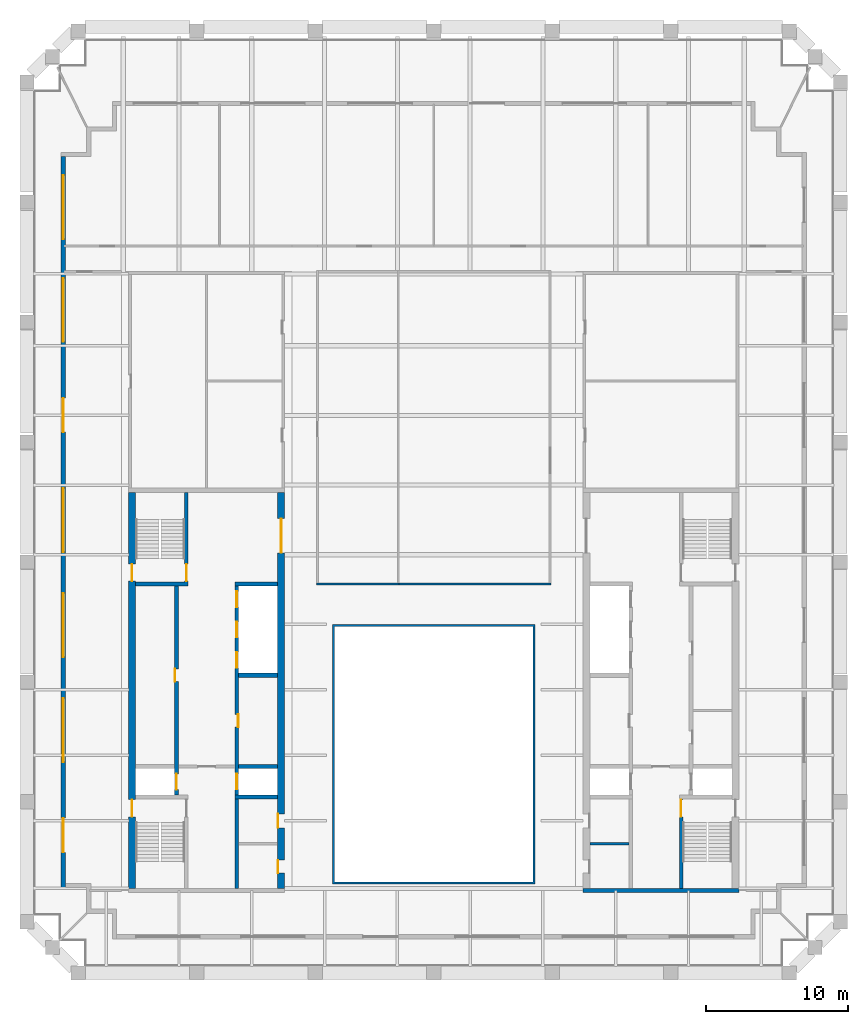
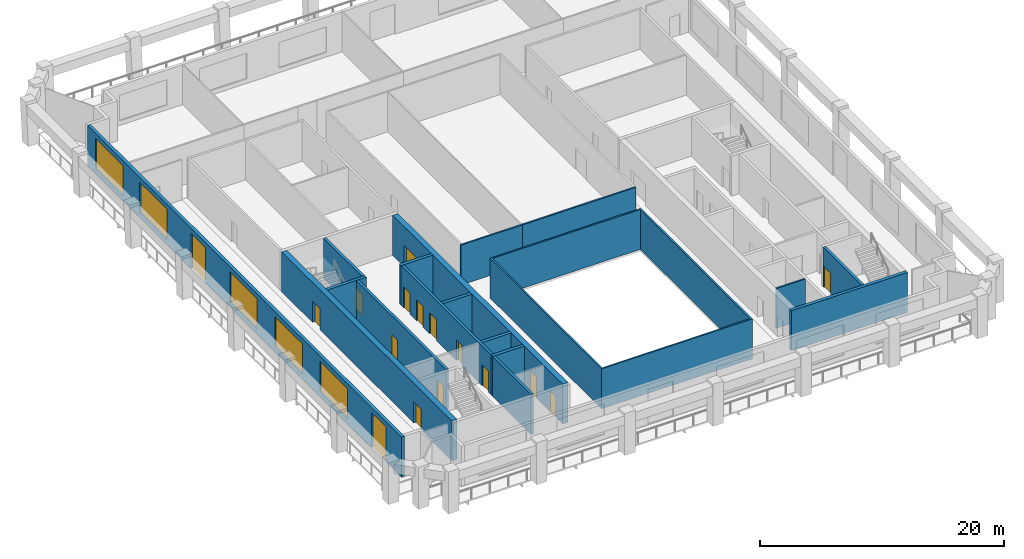
# One storey, part 3 of 7: 17 walls, 16 doors, 5 windows, 21 openings.
"""IFC4 building model written with IfcOpenShell, lengths in metres."""

import ifcopenshell
import ifcopenshell.guid

model = None  # the IFC model being written
_history = None  # IfcOwnerHistory: only IFC2X3 demands one
_inside = {}  # id of a spatial element -> (the spatial element, [elements in it])
_under = {}  # id of a project, library or spatial element -> (it, [spatial elements below it])
_declared = {}  # id of a project -> (the project, [libraries it declares])
_typed = {}  # id of a type object -> (the type object, [elements of that type])
_made_of = {}  # id of a material, layer set ... -> (it, [elements and type objects made of it])


def new_model(schema):
    """Start an empty IFC model of exactly this schema.

    Asked for "IFC4X3", IfcOpenShell would pick the latest addendum, in which some entities
    have other attributes; the version numbers below select the first issue.
    IFC2X3 requires an IfcOwnerHistory on every rooted entity: one is made here for all.
    """
    global model, _history
    if schema == "IFC4X3":
        model = ifcopenshell.file(schema_version=(4, 3, 0, 0))
    else:
        model = ifcopenshell.file(schema=schema)
    _inside.clear()
    _under.clear()
    _declared.clear()
    _typed.clear()
    _made_of.clear()
    _history = None
    if model.schema == "IFC2X3":
        org = make("IfcOrganization", Name="unknown")
        user = make(
            "IfcPersonAndOrganization",
            ThePerson=make("IfcPerson", FamilyName="unknown"),
            TheOrganization=org,
        )
        app = make(
            "IfcApplication",
            ApplicationDeveloper=org,
            Version="unknown",
            ApplicationFullName="unknown",
            ApplicationIdentifier="unknown",
        )
        _history = make(
            "IfcOwnerHistory",
            OwningUser=user,
            OwningApplication=app,
            ChangeAction="ADDED",
            CreationDate=0,
        )
    return model


def make(cls, **values):
    """One entity of the class cls with the attributes given. An attribute that is None is left unset."""
    return model.create_entity(
        cls, **{name: value for name, value in values.items() if value is not None}
    )


def rooted(cls, **values):
    """An entity with a GlobalId (a new one), such as an element, a storey or a relation."""
    return make(cls, GlobalId=ifcopenshell.guid.new(), OwnerHistory=_history, **values)


def si_unit(unit_type, name, prefix=None):
    """IfcSIUnit, for example si_unit("LENGTHUNIT", "METRE", prefix="MILLI")."""
    return make("IfcSIUnit", UnitType=unit_type, Prefix=prefix, Name=name)


def assignment(units):
    """IfcUnitAssignment: the units of a project."""
    return None if units is None else make("IfcUnitAssignment", Units=units)


def point(xyz):
    """IfcCartesianPoint."""
    return None if xyz is None else make("IfcCartesianPoint", Coordinates=xyz)


def direction(xyz):
    """IfcDirection."""
    return None if xyz is None else make("IfcDirection", DirectionRatios=xyz)


def frame(location, z_axis=None, x_axis=None):
    """IfcAxis2Placement3D, a coordinate frame: its origin and axes. An axis left out is left unset."""
    return make(
        "IfcAxis2Placement3D",
        Location=point(location),
        Axis=direction(z_axis),
        RefDirection=direction(x_axis),
    )


def frame_2d(location, x_axis=None):
    """IfcAxis2Placement2D, a coordinate frame in the plane: its origin and x axis."""
    return make(
        "IfcAxis2Placement2D", Location=point(location), RefDirection=direction(x_axis)
    )


def origin():
    """The frame at (0, 0, 0) with its axes left unset."""
    return frame((0.0, 0.0, 0.0))


def place(relative_to, where):
    """IfcLocalPlacement: puts the frame where relative to a parent placement (None: the world)."""
    return make(
        "IfcLocalPlacement", PlacementRelTo=relative_to, RelativePlacement=where
    )


def context(
    kind, dimensions, precision=None, world=None, true_north=None, identifier=None
):
    """IfcGeometricRepresentationContext, for example the 3D "Model" context."""
    return make(
        "IfcGeometricRepresentationContext",
        ContextIdentifier=identifier,
        ContextType=kind,
        CoordinateSpaceDimension=dimensions,
        Precision=precision,
        WorldCoordinateSystem=world,
        TrueNorth=true_north,
    )


def subcontext(parent, identifier, kind, view, scale=None):
    """IfcGeometricRepresentationSubContext, for example "Body" below "Model"."""
    return make(
        "IfcGeometricRepresentationSubContext",
        ContextIdentifier=identifier,
        ContextType=kind,
        ParentContext=parent,
        TargetScale=scale,
        TargetView=view,
    )


def project(units=None, contexts=None):
    """IfcProject with its units and contexts."""
    return rooted(
        "IfcProject",
        Name="project",
        RepresentationContexts=contexts,
        UnitsInContext=assignment(units),
    )


def spatial(cls, under=None, at=None, **own):
    """A site, building, storey or space (cls), placed at a placement, below another one or the project."""
    s = rooted(cls, ObjectPlacement=at, **own)
    if under is not None:
        _under.setdefault(under.id(), (under, []))[1].append(s)
    return s


def polyline(points):
    """IfcPolyline through the points."""
    return make("IfcPolyline", Points=[point(p) for p in points])


def profile(cls, at=None, kind="AREA", **sizes):
    """A parametric profile (cls). Its sizes go by their IFC names, for example OverallWidth=200.0."""
    return make(cls, ProfileType=kind, Position=at, **sizes)


def rectangle(**sizes):
    """IfcRectangleProfileDef."""
    return profile("IfcRectangleProfileDef", **sizes)


def outline(outer, holes=None, kind="AREA"):
    """IfcArbitraryClosedProfileDef: a profile drawn as a closed curve; with holes, ...WithVoids."""
    if holes is None:
        return make("IfcArbitraryClosedProfileDef", ProfileType=kind, OuterCurve=outer)
    return make(
        "IfcArbitraryProfileDefWithVoids",
        ProfileType=kind,
        OuterCurve=outer,
        InnerCurves=holes,
    )


def extrude(swept, where, along, depth):
    """IfcExtrudedAreaSolid: the profile swept, set in the frame where, extruded along a direction by depth."""
    return make(
        "IfcExtrudedAreaSolid",
        SweptArea=swept,
        Position=where,
        ExtrudedDirection=direction(along),
        Depth=depth,
    )


def shape(context_of_items, identifier, shape_type, items):
    """IfcShapeRepresentation: the items that make up one representation, for example the "Body"."""
    return make(
        "IfcShapeRepresentation",
        ContextOfItems=context_of_items,
        RepresentationIdentifier=identifier,
        RepresentationType=shape_type,
        Items=items,
    )


def material(Name=None, Category=None):
    """IfcMaterial."""
    return make("IfcMaterial", Name=Name, Category=Category)


def layer(
    of_material, thickness, ventilated=None, Name=None, Category=None, Priority=None
):
    """IfcMaterialLayer: one layer of a wall or slab, of a material (None: an air gap)."""
    return make(
        "IfcMaterialLayer",
        Material=of_material,
        LayerThickness=thickness,
        IsVentilated=ventilated,
        Name=Name,
        Category=Category,
        Priority=Priority,
    )


def layer_set(layers, Name=None):
    """IfcMaterialLayerSet."""
    return make("IfcMaterialLayerSet", MaterialLayers=layers, LayerSetName=Name)


def made_of(thing, what):
    """Note that an element or type object is made of a material, layer set ...; save() writes the relation."""
    if what is not None:
        _made_of.setdefault(what.id(), (what, []))[1].append(thing)
    return thing


def type_object(cls, material=None, **own):
    """A type object (cls), such as IfcWallType, which elements share."""
    return made_of(rooted(cls, **own), material)


def element(
    cls,
    number,
    at=None,
    inside=None,
    cuts=None,
    type_object=None,
    material=None,
    context=None,
    identifier="Body",
    shape_type=None,
    held_by="IfcProductDefinitionShape",
    body=None,
    shapes=None,
    **own,
):
    """One element of the class cls, such as IfcWall. Its Tag is "e" and its number.

    at: its placement. inside: the storey or other place that contains it. cuts: it is an
    opening in that element (IfcRelVoidsElement). A single representation is given by context,
    identifier, shape_type and body (its items); several are given by shapes. held_by: the class
    of the entity that holds the representations. save() writes the other relations.
    """
    e = rooted(cls, Tag="e%d" % number, ObjectPlacement=at, **own)
    if body is not None:
        shapes = [shape(context, identifier, shape_type, body)]
    if shapes is not None:
        e.Representation = make(held_by, Representations=shapes)
    if inside is not None:
        _inside.setdefault(inside.id(), (inside, []))[1].append(e)
    if cuts is not None:
        rooted(
            "IfcRelVoidsElement", RelatingBuildingElement=cuts, RelatedOpeningElement=e
        )
    if type_object is not None:
        _typed.setdefault(type_object.id(), (type_object, []))[1].append(e)
    return made_of(e, material)


def fill(opening, filler):
    """IfcRelFillsElement: the door or window that sits in an opening."""
    return rooted(
        "IfcRelFillsElement",
        RelatingOpeningElement=opening,
        RelatedBuildingElement=filler,
    )


def aggregate(whole, parts):
    """IfcRelAggregates: a whole, such as a stair, and the parts it consists of."""
    return rooted("IfcRelAggregates", RelatingObject=whole, RelatedObjects=parts)


def save(model, path):
    """Write the relations noted so far, then the file.

    IfcRelAggregates (storeys below a building ...), IfcRelContainedInSpatialStructure (elements
    in a storey), IfcRelDefinesByType, IfcRelAssociatesMaterial and IfcRelDeclares: one each for
    every whole, place, type object, material and project.
    """
    for whole, parts in _under.values():
        aggregate(whole, parts)
    for where, things in _inside.values():
        rooted(
            "IfcRelContainedInSpatialStructure",
            RelatedElements=things,
            RelatingStructure=where,
        )
    for kind, things in _typed.values():
        rooted("IfcRelDefinesByType", RelatedObjects=things, RelatingType=kind)
    for what, things in _made_of.values():
        rooted("IfcRelAssociatesMaterial", RelatedObjects=things, RelatingMaterial=what)
    for by, libraries in _declared.values():
        rooted("IfcRelDeclares", RelatingContext=by, RelatedDefinitions=libraries)
    model.write(path)


model = new_model("IFC4")

# Units and contexts
model_context = context("Model", 3, precision=1e-05, world=origin(), true_north=direction((0.0, 1.0)))
body_context = subcontext(model_context, "Body", "Model", "MODEL_VIEW")
ifc_project = project(units=[si_unit("LENGTHUNIT", "METRE"), si_unit("AREAUNIT", "SQUARE_METRE"), si_unit("VOLUMEUNIT", "CUBIC_METRE"), si_unit("PLANEANGLEUNIT", "RADIAN"), si_unit("MASSUNIT", "GRAM", prefix="KILO")], contexts=[model_context])

# Site, building, storey
site_placement = place(None, origin())
site = spatial("IfcSite", under=ifc_project, at=site_placement, CompositionType="ELEMENT")
building_placement = place(site_placement, origin())
building = spatial("IfcBuilding", under=site, at=building_placement, Name="Ogive Exchange Tower", CompositionType="ELEMENT")
storey_placement = place(building_placement, frame((0.0, 0.0, 330.0)))
storey = spatial("IfcBuildingStorey", under=building, at=storey_placement, Name="L72", CompositionType="ELEMENT", Elevation=330.0)

# Walls
ifc_material_1 = material(Name="Gypsum board partition")
ifc_layer_1 = layer(ifc_material_1, 0.14990234375)
ifc_layer_set_1 = layer_set([ifc_layer_1], Name="Core room partition 150 gypsum")
wall_type_1 = type_object("IfcWallType", Name="Core room partition 150 gypsum", PredefinedType="PARTITIONING", material=ifc_layer_set_1)
wall_1_placement = place(storey_placement, frame((11.0, 0.699951171875, 0.0), z_axis=(0.0, 0.0, 1.0), x_axis=(1.0, 0.0, 0.0)))
element("IfcWall", 1, at=wall_1_placement, inside=storey, type_object=wall_type_1, Name="E south room partition", PredefinedType="PARTITIONING", context=body_context, shape_type="SweptSolid", body=[
    extrude(rectangle(XDim=2.75, YDim=0.14990234375, at=frame_2d((1.375, 0.0))), origin(), (0.0, 0.0, 1.0), 4.0),
])
ifc_material_2 = material(Name="Fire partition EI 60 150")
ifc_layer_2 = layer(ifc_material_2, 0.14990234375)
ifc_layer_set_2 = layer_set([ifc_layer_2], Name="Fire partition EI 60 150")
wall_type_2 = type_object("IfcWallType", Name="Fire partition EI 60 150", PredefinedType="PARTITIONING", material=ifc_layer_set_2)
wall_2_placement = place(storey_placement, frame((-8.27490234375, 19.0, 0.0), z_axis=(0.0, 0.0, 1.0), x_axis=(1.0, 0.0, 0.0)))
element("IfcWall", 2, at=wall_2_placement, inside=storey, type_object=wall_type_2, Name="L72-PWL-007", PredefinedType="PARTITIONING", context=body_context, shape_type="SweptSolid", body=[
    extrude(rectangle(XDim=5.824951171875, YDim=0.14990234375, at=frame_2d((2.91259765625, 0.0))), origin(), (0.0, 0.0, 1.0), 4.0),
])
wall_3_placement = place(storey_placement, frame((-2.5, 19.0, 0.0), z_axis=(0.0, 0.0, 1.0), x_axis=(1.0, 0.0, 0.0)))
element("IfcWall", 3, at=wall_3_placement, inside=storey, type_object=wall_type_2, Name="L72-PWL-011", PredefinedType="PARTITIONING", context=body_context, shape_type="SweptSolid", body=[
    extrude(rectangle(XDim=10.77490234375, YDim=0.14990234375, at=frame_2d((5.387451171875, 0.0))), origin(), (0.0, 0.0, 1.0), 4.0),
])
ifc_material_3 = material(Name="Fire-resisting glass in steel frame", Category="steel")
ifc_layer_3 = layer(ifc_material_3, 0.14990234375)
ifc_layer_set_3 = layer_set([ifc_layer_3], Name="Fire-rated glazed wall 150")
wall_type_3 = type_object("IfcWallType", Name="Fire-rated glazed wall 150", PredefinedType="STANDARD", material=ifc_layer_set_3)
wall_4_placement = place(storey_placement, origin())
element("IfcWall", 4, at=wall_4_placement, inside=storey, type_object=wall_type_3, Name="Nave enclosure wall", PredefinedType="STANDARD", context=body_context, shape_type="SweptSolid", body=[
    extrude(outline(polyline([(-7.14990234375, -2.14990234375), (7.14990234375, -2.14990234375), (7.14990234375, 16.14990234375), (-7.14990234375, 16.14990234375), (-7.14990234375, -2.14990234375)]), holes=[polyline([(-7.0, -2.0), (-7.0, 16.0), (7.0, 16.0), (7.0, -2.0), (-7.0, -2.0)])]), origin(), (0.0, 0.0, 1.0), 4.0),
])

# Wall, openings, doors, windows
ifc_material_4 = material(Name="Precast concrete C40/50", Category="concrete")
ifc_layer_4 = layer(ifc_material_4, 0.300048828125)
ifc_layer_set_4 = layer_set([ifc_layer_4], Name="Limestone-faced wall 300")
wall_type_4 = type_object("IfcWallType", Name="Limestone-faced wall 300", PredefinedType="STANDARD", material=ifc_layer_set_4)
wall_5_placement = place(storey_placement, frame((-26.10009765625, 49.10009765625, 0.0), z_axis=(0.0, 0.0, 1.0), x_axis=(0.0, -1.0, 0.0)))
wall_5 = element("IfcWall", 5, at=wall_5_placement, inside=storey, type_object=wall_type_4, Name="External wall W4", PredefinedType="STANDARD", context=body_context, shape_type="SweptSolid", body=[
    extrude(rectangle(XDim=51.5, YDim=0.300048828125, at=frame_2d((25.75, 0.0))), origin(), (0.0, 0.0, 1.0), 4.0),
])
opening_1_placement = place(wall_5_placement, frame((1.300048828125, 0.0, 0.449951171875)))
opening_1 = element("IfcOpeningElement", 6, at=opening_1_placement, cuts=wall_5, Name="Opening W1", PredefinedType="OPENING", context=body_context, shape_type="SweptSolid", body=[
    extrude(rectangle(XDim=4.5, YDim=3.050048828125, at=frame_2d((2.25, 1.52490234375))), frame((0.0, 0.159912109375, 0.0), z_axis=(0.0, -1.0, 0.0), x_axis=(1.0, 0.0, 0.0)), (0.0, 0.0, 1.0), 0.320068359375),
])
opening_2_placement = place(wall_5_placement, frame((8.550048828125, 0.0, 0.449951171875)))
opening_2 = element("IfcOpeningElement", 7, at=opening_2_placement, cuts=wall_5, Name="Opening W1", PredefinedType="OPENING", context=body_context, shape_type="SweptSolid", body=[
    extrude(rectangle(XDim=4.5, YDim=3.050048828125, at=frame_2d((2.25, 1.52490234375))), frame((0.0, 0.159912109375, 0.0), z_axis=(0.0, -1.0, 0.0), x_axis=(1.0, 0.0, 0.0)), (0.0, 0.0, 1.0), 0.320068359375),
])
opening_3_placement = place(wall_5_placement, frame((17.0, 0.0, 0.0)))
opening_3 = element("IfcOpeningElement", 8, at=opening_3_placement, cuts=wall_5, Name="Opening D1", PredefinedType="OPENING", context=body_context, shape_type="SweptSolid", body=[
    extrude(rectangle(XDim=2.39990234375, YDim=3.5, at=frame_2d((1.199951171875, 1.75))), frame((0.0, 0.159912109375, 0.0), z_axis=(0.0, -1.0, 0.0), x_axis=(1.0, 0.0, 0.0)), (0.0, 0.0, 1.0), 0.320068359375),
])
opening_4_placement = place(wall_5_placement, frame((23.35009765625, 0.0, 0.449951171875)))
opening_4 = element("IfcOpeningElement", 9, at=opening_4_placement, cuts=wall_5, Name="Opening W1", PredefinedType="OPENING", context=body_context, shape_type="SweptSolid", body=[
    extrude(rectangle(XDim=4.5, YDim=3.050048828125, at=frame_2d((2.25, 1.52490234375))), frame((0.0, 0.159912109375, 0.0), z_axis=(0.0, -1.0, 0.0), x_axis=(1.0, 0.0, 0.0)), (0.0, 0.0, 1.0), 0.320068359375),
])
opening_5_placement = place(wall_5_placement, frame((30.75, 0.0, 0.449951171875)))
opening_5 = element("IfcOpeningElement", 10, at=opening_5_placement, cuts=wall_5, Name="Opening W1", PredefinedType="OPENING", context=body_context, shape_type="SweptSolid", body=[
    extrude(rectangle(XDim=4.5, YDim=3.050048828125, at=frame_2d((2.25, 1.52490234375))), frame((0.0, 0.159912109375, 0.0), z_axis=(0.0, -1.0, 0.0), x_axis=(1.0, 0.0, 0.0)), (0.0, 0.0, 1.0), 0.320068359375),
])
opening_6_placement = place(wall_5_placement, frame((38.14990234375, 0.0, 0.449951171875)))
opening_6 = element("IfcOpeningElement", 11, at=opening_6_placement, cuts=wall_5, Name="Opening W1", PredefinedType="OPENING", context=body_context, shape_type="SweptSolid", body=[
    extrude(rectangle(XDim=4.5, YDim=3.050048828125, at=frame_2d((2.25, 1.52490234375))), frame((0.0, 0.159912109375, 0.0), z_axis=(0.0, -1.0, 0.0), x_axis=(1.0, 0.0, 0.0)), (0.0, 0.0, 1.0), 0.320068359375),
])
opening_7_placement = place(wall_5_placement, frame((46.60009765625, 0.0, 0.0)))
opening_7 = element("IfcOpeningElement", 12, at=opening_7_placement, cuts=wall_5, Name="Opening D1", PredefinedType="OPENING", context=body_context, shape_type="SweptSolid", body=[
    extrude(rectangle(XDim=2.39990234375, YDim=3.5, at=frame_2d((1.199951171875, 1.75))), frame((0.0, 0.159912109375, 0.0), z_axis=(0.0, -1.0, 0.0), x_axis=(1.0, 0.0, 0.0)), (0.0, 0.0, 1.0), 0.320068359375),
])
ifc_material_5 = material(Name="Clear glass in bronze frame", Category="glass")
door_type_1 = type_object("IfcDoorType", Name="Sliding loggia door 2400 x 3500", OperationType="DOUBLE_DOOR_SLIDING", PredefinedType="DOOR", material=ifc_material_5)
door_1_placement = place(opening_3_placement, origin())
door_1 = element("IfcDoor", 13, at=door_1_placement, inside=storey, type_object=door_type_1, Name="Loggia door W02", OperationType="DOUBLE_DOOR_SLIDING", OverallHeight=3.5, OverallWidth=2.39990234375, PredefinedType="DOOR", context=body_context, shape_type="SweptSolid", body=[
    extrude(rectangle(XDim=2.39990234375, YDim=3.5, at=frame_2d((1.199951171875, 1.75))), frame((0.0, 0.02490234375, 0.0), z_axis=(0.0, -1.0, 0.0), x_axis=(1.0, 0.0, 0.0)), (0.0, 0.0, 1.0), 0.050048828125),
])
fill(opening_3, door_1)
door_2_placement = place(opening_7_placement, origin())
door_2 = element("IfcDoor", 14, at=door_2_placement, inside=storey, type_object=door_type_1, Name="Loggia door W06", OperationType="DOUBLE_DOOR_SLIDING", OverallHeight=3.5, OverallWidth=2.39990234375, PredefinedType="DOOR", context=body_context, shape_type="SweptSolid", body=[
    extrude(rectangle(XDim=2.39990234375, YDim=3.5, at=frame_2d((1.199951171875, 1.75))), frame((0.0, 0.02490234375, 0.0), z_axis=(0.0, -1.0, 0.0), x_axis=(1.0, 0.0, 0.0)), (0.0, 0.0, 1.0), 0.050048828125),
])
fill(opening_7, door_2)
window_type = type_object("IfcWindowType", Name="Twin lancet window 4500 x 3050", PartitioningType="DOUBLE_PANEL_VERTICAL", PredefinedType="WINDOW", material=ifc_material_5)
window_1_placement = place(opening_1_placement, origin())
window_1 = element("IfcWindow", 15, at=window_1_placement, inside=storey, type_object=window_type, Name="Window W00", OverallHeight=3.050048828125, OverallWidth=4.5, PartitioningType="DOUBLE_PANEL_VERTICAL", PredefinedType="WINDOW", context=body_context, shape_type="SweptSolid", body=[
    extrude(rectangle(XDim=4.5, YDim=3.050048828125, at=frame_2d((2.25, 1.52490234375))), frame((0.0, 0.030029296875, 0.0), z_axis=(0.0, -1.0, 0.0), x_axis=(1.0, 0.0, 0.0)), (0.0, 0.0, 1.0), 0.06005859375),
])
fill(opening_1, window_1)
window_2_placement = place(opening_2_placement, origin())
window_2 = element("IfcWindow", 16, at=window_2_placement, inside=storey, type_object=window_type, Name="Window W01", OverallHeight=3.050048828125, OverallWidth=4.5, PartitioningType="DOUBLE_PANEL_VERTICAL", PredefinedType="WINDOW", context=body_context, shape_type="SweptSolid", body=[
    extrude(rectangle(XDim=4.5, YDim=3.050048828125, at=frame_2d((2.25, 1.52490234375))), frame((0.0, 0.030029296875, 0.0), z_axis=(0.0, -1.0, 0.0), x_axis=(1.0, 0.0, 0.0)), (0.0, 0.0, 1.0), 0.06005859375),
])
fill(opening_2, window_2)
window_3_placement = place(opening_4_placement, origin())
window_3 = element("IfcWindow", 17, at=window_3_placement, inside=storey, type_object=window_type, Name="Window W03", OverallHeight=3.050048828125, OverallWidth=4.5, PartitioningType="DOUBLE_PANEL_VERTICAL", PredefinedType="WINDOW", context=body_context, shape_type="SweptSolid", body=[
    extrude(rectangle(XDim=4.5, YDim=3.050048828125, at=frame_2d((2.25, 1.52490234375))), frame((0.0, 0.030029296875, 0.0), z_axis=(0.0, -1.0, 0.0), x_axis=(1.0, 0.0, 0.0)), (0.0, 0.0, 1.0), 0.06005859375),
])
fill(opening_4, window_3)
window_4_placement = place(opening_5_placement, origin())
window_4 = element("IfcWindow", 18, at=window_4_placement, inside=storey, type_object=window_type, Name="Window W04", OverallHeight=3.050048828125, OverallWidth=4.5, PartitioningType="DOUBLE_PANEL_VERTICAL", PredefinedType="WINDOW", context=body_context, shape_type="SweptSolid", body=[
    extrude(rectangle(XDim=4.5, YDim=3.050048828125, at=frame_2d((2.25, 1.52490234375))), frame((0.0, 0.030029296875, 0.0), z_axis=(0.0, -1.0, 0.0), x_axis=(1.0, 0.0, 0.0)), (0.0, 0.0, 1.0), 0.06005859375),
])
fill(opening_5, window_4)
window_5_placement = place(opening_6_placement, origin())
window_5 = element("IfcWindow", 19, at=window_5_placement, inside=storey, type_object=window_type, Name="Window W05", OverallHeight=3.050048828125, OverallWidth=4.5, PartitioningType="DOUBLE_PANEL_VERTICAL", PredefinedType="WINDOW", context=body_context, shape_type="SweptSolid", body=[
    extrude(rectangle(XDim=4.5, YDim=3.050048828125, at=frame_2d((2.25, 1.52490234375))), frame((0.0, 0.030029296875, 0.0), z_axis=(0.0, -1.0, 0.0), x_axis=(1.0, 0.0, 0.0)), (0.0, 0.0, 1.0), 0.06005859375),
])
fill(opening_6, window_5)

# Wall, opening, door
ifc_material_6 = material(Name="Concrete C70/85", Category="concrete")
ifc_layer_5 = layer(ifc_material_6, 0.25)
ifc_layer_set_5 = layer_set([ifc_layer_5], Name="RC core wall 250 C70/85")
wall_type_5 = type_object("IfcWallType", Name="RC core wall 250 C70/85", PredefinedType="SHEAR", material=ifc_layer_set_5)
wall_6_placement = place(storey_placement, frame((-17.425048828125, 19.14990234375, 0.0), z_axis=(0.0, 0.0, 1.0), x_axis=(0.0, 1.0, 0.0)))
wall_6 = element("IfcWall", 20, at=wall_6_placement, inside=storey, type_object=wall_type_5, Name="W stair N front wall", PredefinedType="SHEAR", context=body_context, shape_type="SweptSolid", body=[
    extrude(rectangle(XDim=6.300048828125, YDim=0.25, at=frame_2d((3.14990234375, 0.0))), origin(), (0.0, 0.0, 1.0), 4.0),
])
opening_8_placement = place(wall_6_placement, frame((0.050048828125, 0.0, 0.0)))
opening_8 = element("IfcOpeningElement", 21, at=opening_8_placement, cuts=wall_6, Name="Opening L72-C12", PredefinedType="OPENING", context=body_context, shape_type="SweptSolid", body=[
    extrude(rectangle(XDim=1.199951171875, YDim=2.10009765625, at=frame_2d((0.60009765625, 1.050048828125))), frame((0.0, 0.135009765625, 0.0), z_axis=(0.0, -1.0, 0.0), x_axis=(1.0, 0.0, 0.0)), (0.0, 0.0, 1.0), 0.27001953125),
])
ifc_material_7 = material(Name="Steel fire door", Category="steel")
door_type_2 = type_object("IfcDoorType", Name="Stair door FD90 1200 x 2100", OperationType="NOTDEFINED", PredefinedType="DOOR", material=ifc_material_7)
door_3_placement = place(opening_8_placement, origin())
door_3 = element("IfcDoor", 22, at=door_3_placement, inside=storey, type_object=door_type_2, Name="Stair door", ObjectType="CD5", OperationType="SINGLE_SWING_RIGHT", OverallHeight=2.10009765625, OverallWidth=1.199951171875, PredefinedType="DOOR", context=body_context, shape_type="SweptSolid", body=[
    extrude(rectangle(XDim=1.199951171875, YDim=2.10009765625, at=frame_2d((0.60009765625, 1.050048828125))), frame((0.0, 0.02490234375, 0.0), z_axis=(0.0, -1.0, 0.0), x_axis=(1.0, 0.0, 0.0)), (0.0, 0.0, 1.0), 0.050048828125),
])
fill(opening_8, door_3)

# Wall, openings, doors
wall_7_placement = place(storey_placement, frame((-18.125, 4.14990234375, 0.0), z_axis=(0.0, 0.0, 1.0), x_axis=(0.0, 1.0, 0.0)))
wall_7 = element("IfcWall", 23, at=wall_7_placement, inside=storey, type_object=wall_type_5, Name="W row A front wall", PredefinedType="SHEAR", context=body_context, shape_type="SweptSolid", body=[
    extrude(rectangle(XDim=14.7001953125, YDim=0.25, at=frame_2d((7.35009765625, 0.0))), origin(), (0.0, 0.0, 1.0), 4.0),
])
opening_9_placement = place(wall_7_placement, frame((7.971435546875, 0.0, 0.0)))
opening_9 = element("IfcOpeningElement", 24, at=opening_9_placement, cuts=wall_7, Name="Opening L72-C01", PredefinedType="OPENING", context=body_context, shape_type="SweptSolid", body=[
    extrude(rectangle(XDim=0.89990234375, YDim=2.10009765625, at=frame_2d((0.449951171875, 1.050048828125))), frame((0.0, 0.135009765625, 0.0), z_axis=(0.0, -1.0, 0.0), x_axis=(1.0, 0.0, 0.0)), (0.0, 0.0, 1.0), 0.27001953125),
])
opening_10_placement = place(wall_7_placement, frame((0.371337890625, 0.0, 0.0)))
opening_10 = element("IfcOpeningElement", 25, at=opening_10_placement, cuts=wall_7, Name="Opening L72-C02", PredefinedType="OPENING", context=body_context, shape_type="SweptSolid", body=[
    extrude(rectangle(XDim=1.10009765625, YDim=2.10009765625, at=frame_2d((0.550048828125, 1.050048828125))), frame((0.0, 0.135009765625, 0.0), z_axis=(0.0, -1.0, 0.0), x_axis=(1.0, 0.0, 0.0)), (0.0, 0.0, 1.0), 0.27001953125),
])
ifc_material_8 = material(Name="Stainless steel", Category="steel")
door_type_3 = type_object("IfcDoorType", Name="Lift landing door FD90 1100 x 2100", OperationType="SLIDING_TO_LEFT", PredefinedType="DOOR", material=ifc_material_8)
door_4_placement = place(opening_10_placement, origin())
door_4 = element("IfcDoor", 26, at=door_4_placement, inside=storey, type_object=door_type_3, Name="Lift landing door FF1", ObjectType="LD", OperationType="SLIDING_TO_LEFT", OverallHeight=2.10009765625, OverallWidth=1.10009765625, PredefinedType="DOOR", context=body_context, shape_type="SweptSolid", body=[
    extrude(rectangle(XDim=1.10009765625, YDim=2.10009765625, at=frame_2d((0.550048828125, 1.050048828125))), frame((0.0, 0.02490234375, 0.0), z_axis=(0.0, -1.0, 0.0), x_axis=(1.0, 0.0, 0.0)), (0.0, 0.0, 1.0), 0.050048828125),
])
fill(opening_10, door_4)
door_type_4 = type_object("IfcDoorType", Name="Riser door FD60 900 x 2100", OperationType="NOTDEFINED", PredefinedType="DOOR", material=ifc_material_7)
door_5_placement = place(opening_9_placement, origin())
door_5 = element("IfcDoor", 27, at=door_5_placement, inside=storey, type_object=door_type_4, Name="Riser door", ObjectType="CD2", OperationType="SINGLE_SWING_LEFT", OverallHeight=2.10009765625, OverallWidth=0.89990234375, PredefinedType="DOOR", context=body_context, shape_type="SweptSolid", body=[
    extrude(rectangle(XDim=0.89990234375, YDim=2.10009765625, at=frame_2d((0.449951171875, 1.050048828125))), frame((0.0, 0.125, 0.0), z_axis=(0.0, -1.0, 0.0), x_axis=(1.0, 0.0, 0.0)), (0.0, 0.0, 1.0), 0.050048828125),
])
fill(opening_9, door_5)

wall_8_placement = place(storey_placement, frame((-13.875, -2.449951171875, 0.0), z_axis=(0.0, 0.0, 1.0), x_axis=(0.0, 1.0, 0.0)))
wall_8 = element("IfcWall", 28, at=wall_8_placement, inside=storey, type_object=wall_type_5, Name="W row B front wall", PredefinedType="SHEAR", context=body_context, shape_type="SweptSolid", body=[
    extrude(rectangle(XDim=21.300048828125, YDim=0.25, at=frame_2d((10.64990234375, 0.0))), origin(), (0.0, 0.0, 1.0), 4.0),
])
opening_11_placement = place(wall_8_placement, frame((11.357177734375, 0.0, 0.0)))
opening_11 = element("IfcOpeningElement", 29, at=opening_11_placement, cuts=wall_8, Name="Opening L72-C03", PredefinedType="OPENING", context=body_context, shape_type="SweptSolid", body=[
    extrude(rectangle(XDim=0.89990234375, YDim=2.10009765625, at=frame_2d((0.449951171875, 1.050048828125))), frame((0.0, 0.135009765625, 0.0), z_axis=(0.0, -1.0, 0.0), x_axis=(1.0, 0.0, 0.0)), (0.0, 0.0, 1.0), 0.27001953125),
])
opening_12_placement = place(wall_8_placement, frame((6.971435546875, 0.0, 0.0)))
opening_12 = element("IfcOpeningElement", 30, at=opening_12_placement, cuts=wall_8, Name="Opening L72-C04", PredefinedType="OPENING", context=body_context, shape_type="SweptSolid", body=[
    extrude(rectangle(XDim=1.10009765625, YDim=2.10009765625, at=frame_2d((0.550048828125, 1.050048828125))), frame((0.0, 0.135009765625, 0.0), z_axis=(0.0, -1.0, 0.0), x_axis=(1.0, 0.0, 0.0)), (0.0, 0.0, 1.0), 0.27001953125),
])
opening_13_placement = place(wall_8_placement, frame((15.54296875, 0.0, 0.0)))
opening_13 = element("IfcOpeningElement", 31, at=opening_13_placement, cuts=wall_8, Name="Opening L72-C05", PredefinedType="OPENING", context=body_context, shape_type="SweptSolid", body=[
    extrude(rectangle(XDim=1.10009765625, YDim=2.10009765625, at=frame_2d((0.550048828125, 1.050048828125))), frame((0.0, 0.135009765625, 0.0), z_axis=(0.0, -1.0, 0.0), x_axis=(1.0, 0.0, 0.0)), (0.0, 0.0, 1.0), 0.27001953125),
])
opening_14_placement = place(wall_8_placement, frame((17.685791015625, 0.0, 0.0)))
opening_14 = element("IfcOpeningElement", 32, at=opening_14_placement, cuts=wall_8, Name="Opening L72-C06", PredefinedType="OPENING", context=body_context, shape_type="SweptSolid", body=[
    extrude(rectangle(XDim=1.10009765625, YDim=2.10009765625, at=frame_2d((0.550048828125, 1.050048828125))), frame((0.0, 0.135009765625, 0.0), z_axis=(0.0, -1.0, 0.0), x_axis=(1.0, 0.0, 0.0)), (0.0, 0.0, 1.0), 0.27001953125),
])
opening_15_placement = place(wall_8_placement, frame((19.82861328125, 0.0, 0.0)))
opening_15 = element("IfcOpeningElement", 33, at=opening_15_placement, cuts=wall_8, Name="Opening L72-C07", PredefinedType="OPENING", context=body_context, shape_type="SweptSolid", body=[
    extrude(rectangle(XDim=1.10009765625, YDim=2.10009765625, at=frame_2d((0.550048828125, 1.050048828125))), frame((0.0, 0.135009765625, 0.0), z_axis=(0.0, -1.0, 0.0), x_axis=(1.0, 0.0, 0.0)), (0.0, 0.0, 1.0), 0.27001953125),
])
door_6_placement = place(opening_12_placement, origin())
door_6 = element("IfcDoor", 34, at=door_6_placement, inside=storey, type_object=door_type_3, Name="Lift landing door SV1", ObjectType="LD", OperationType="SLIDING_TO_LEFT", OverallHeight=2.10009765625, OverallWidth=1.10009765625, PredefinedType="DOOR", context=body_context, shape_type="SweptSolid", body=[
    extrude(rectangle(XDim=1.10009765625, YDim=2.10009765625, at=frame_2d((0.550048828125, 1.050048828125))), frame((0.0, 0.02490234375, 0.0), z_axis=(0.0, -1.0, 0.0), x_axis=(1.0, 0.0, 0.0)), (0.0, 0.0, 1.0), 0.050048828125),
])
fill(opening_12, door_6)
door_7_placement = place(opening_13_placement, origin())
door_7 = element("IfcDoor", 35, at=door_7_placement, inside=storey, type_object=door_type_3, Name="Lift landing door W-H1", ObjectType="LD", OperationType="SLIDING_TO_LEFT", OverallHeight=2.10009765625, OverallWidth=1.10009765625, PredefinedType="DOOR", context=body_context, shape_type="SweptSolid", body=[
    extrude(rectangle(XDim=1.10009765625, YDim=2.10009765625, at=frame_2d((0.550048828125, 1.050048828125))), frame((0.0, 0.02490234375, 0.0), z_axis=(0.0, -1.0, 0.0), x_axis=(1.0, 0.0, 0.0)), (0.0, 0.0, 1.0), 0.050048828125),
])
fill(opening_13, door_7)
door_8_placement = place(opening_14_placement, origin())
door_8 = element("IfcDoor", 36, at=door_8_placement, inside=storey, type_object=door_type_3, Name="Lift landing door W-H2", ObjectType="LD", OperationType="SLIDING_TO_LEFT", OverallHeight=2.10009765625, OverallWidth=1.10009765625, PredefinedType="DOOR", context=body_context, shape_type="SweptSolid", body=[
    extrude(rectangle(XDim=1.10009765625, YDim=2.10009765625, at=frame_2d((0.550048828125, 1.050048828125))), frame((0.0, 0.02490234375, 0.0), z_axis=(0.0, -1.0, 0.0), x_axis=(1.0, 0.0, 0.0)), (0.0, 0.0, 1.0), 0.050048828125),
])
fill(opening_14, door_8)
door_9_placement = place(opening_15_placement, origin())
door_9 = element("IfcDoor", 37, at=door_9_placement, inside=storey, type_object=door_type_3, Name="Lift landing door W-H3", ObjectType="LD", OperationType="SLIDING_TO_LEFT", OverallHeight=2.10009765625, OverallWidth=1.10009765625, PredefinedType="DOOR", context=body_context, shape_type="SweptSolid", body=[
    extrude(rectangle(XDim=1.10009765625, YDim=2.10009765625, at=frame_2d((0.550048828125, 1.050048828125))), frame((0.0, 0.02490234375, 0.0), z_axis=(0.0, -1.0, 0.0), x_axis=(1.0, 0.0, 0.0)), (0.0, 0.0, 1.0), 0.050048828125),
])
fill(opening_15, door_9)
door_10_placement = place(opening_11_placement, frame((0.89990234375, -0.2001953125, 0.0), z_axis=(0.0, 0.0, 1.0), x_axis=(-1.0, 0.0, 0.0)))
door_10 = element("IfcDoor", 38, at=door_10_placement, inside=storey, type_object=door_type_4, Name="Riser door", ObjectType="CD2", OperationType="SINGLE_SWING_RIGHT", OverallHeight=2.10009765625, OverallWidth=0.89990234375, PredefinedType="DOOR", context=body_context, shape_type="SweptSolid", body=[
    extrude(rectangle(XDim=0.89990234375, YDim=2.10009765625, at=frame_2d((0.449951171875, 1.050048828125))), frame((0.0, -0.0751953125, 0.0), z_axis=(0.0, -1.0, 0.0), x_axis=(1.0, 0.0, 0.0)), (0.0, 0.0, 1.0), 0.050048828125),
])
fill(opening_11, door_10)

# Wall, opening, door
wall_9_placement = place(storey_placement, frame((17.425048828125, -2.449951171875, 0.0), z_axis=(0.0, 0.0, 1.0), x_axis=(0.0, 1.0, 0.0)))
wall_9 = element("IfcWall", 39, at=wall_9_placement, inside=storey, type_object=wall_type_5, Name="E stair S front wall", PredefinedType="SHEAR", context=body_context, shape_type="SweptSolid", body=[
    extrude(rectangle(XDim=6.300048828125, YDim=0.25, at=frame_2d((3.14990234375, 0.0))), origin(), (0.0, 0.0, 1.0), 4.0),
])
opening_16_placement = place(wall_9_placement, frame((5.050048828125, 0.0, 0.0)))
opening_16 = element("IfcOpeningElement", 40, at=opening_16_placement, cuts=wall_9, Name="Opening L72-C29", PredefinedType="OPENING", context=body_context, shape_type="SweptSolid", body=[
    extrude(rectangle(XDim=1.199951171875, YDim=2.10009765625, at=frame_2d((0.60009765625, 1.050048828125))), frame((0.0, 0.135009765625, 0.0), z_axis=(0.0, -1.0, 0.0), x_axis=(1.0, 0.0, 0.0)), (0.0, 0.0, 1.0), 0.27001953125),
])
door_11_placement = place(opening_16_placement, frame((1.199951171875, 0.0, 0.0), z_axis=(0.0, 0.0, 1.0), x_axis=(-1.0, 0.0, 0.0)))
door_11 = element("IfcDoor", 41, at=door_11_placement, inside=storey, type_object=door_type_2, Name="Stair door", ObjectType="CD5", OperationType="SINGLE_SWING_RIGHT", OverallHeight=2.10009765625, OverallWidth=1.199951171875, PredefinedType="DOOR", context=body_context, shape_type="SweptSolid", body=[
    extrude(rectangle(XDim=1.199951171875, YDim=2.10009765625, at=frame_2d((0.60009765625, 1.050048828125))), frame((0.0, 0.02490234375, 0.0), z_axis=(0.0, -1.0, 0.0), x_axis=(1.0, 0.0, 0.0)), (0.0, 0.0, 1.0), 0.050048828125),
])
fill(opening_16, door_11)

# Walls
ifc_layer_6 = layer(ifc_material_6, 0.300048828125)
ifc_layer_set_6 = layer_set([ifc_layer_6], Name="RC core wall 300 C70/85")
wall_type_6 = type_object("IfcWallType", Name="RC core wall 300 C70/85", PredefinedType="SHEAR", material=ifc_layer_set_6)
wall_10_placement = place(storey_placement, frame((-21.0, 19.0, 0.0), z_axis=(0.0, 0.0, 1.0), x_axis=(1.0, 0.0, 0.0)))
element("IfcWall", 42, at=wall_10_placement, inside=storey, type_object=wall_type_6, Name="W stair N south wall", PredefinedType="SHEAR", context=body_context, shape_type="SweptSolid", body=[
    extrude(rectangle(XDim=3.699951171875, YDim=0.300048828125, at=frame_2d((1.85009765625, 0.0))), origin(), (0.0, 0.0, 1.0), 4.0),
])
wall_11_placement = place(storey_placement, frame((-14.0, 4.0, 0.0), z_axis=(0.0, 0.0, 1.0), x_axis=(1.0, 0.0, 0.0)))
element("IfcWall", 43, at=wall_11_placement, inside=storey, type_object=wall_type_6, Name="W row B divider 0", PredefinedType="SHEAR", context=body_context, shape_type="SweptSolid", body=[
    extrude(rectangle(XDim=3.0, YDim=0.300048828125, at=frame_2d((1.5, 0.0))), origin(), (0.0, 0.0, 1.0), 4.0),
])
for number, where, z_axis, x_axis, name in (
    (44, (-13.75, 6.142822265625, 0.0), (0.0, 0.0, 1.0), (1.0, 0.0, 0.0), "W row B divider 1"),
    (45, (-13.75, 12.5712890625, 0.0), (0.0, 0.0, 1.0), (1.0, 0.0, 0.0), "W row B divider 4"),
):
    element("IfcWall", number, at=place(storey_placement, frame(where, z_axis=z_axis, x_axis=x_axis)), inside=storey, type_object=wall_type_6, Name=name, PredefinedType="SHEAR", context=body_context, shape_type="SweptSolid", body=[
        extrude(rectangle(XDim=2.75, YDim=0.300048828125, at=frame_2d((1.375, 0.0))), origin(), (0.0, 0.0, 1.0), 4.0),
    ])
wall_12_placement = place(storey_placement, frame((-14.0, 19.0, 0.0), z_axis=(0.0, 0.0, 1.0), x_axis=(1.0, 0.0, 0.0)))
element("IfcWall", 46, at=wall_12_placement, inside=storey, type_object=wall_type_6, Name="W row B divider 7", PredefinedType="SHEAR", context=body_context, shape_type="SweptSolid", body=[
    extrude(rectangle(XDim=3.0, YDim=0.300048828125, at=frame_2d((1.5, 0.0))), origin(), (0.0, 0.0, 1.0), 4.0),
])
wall_13_placement = place(storey_placement, frame((10.5, -2.60009765625, 0.0), z_axis=(0.0, 0.0, 1.0), x_axis=(1.0, 0.0, 0.0)))
element("IfcWall", 47, at=wall_13_placement, inside=storey, type_object=wall_type_6, Name="E south end wall", PredefinedType="SHEAR", context=body_context, shape_type="SweptSolid", body=[
    extrude(rectangle(XDim=11.0, YDim=0.300048828125, at=frame_2d((5.5, 0.0))), origin(), (0.0, 0.0, 1.0), 4.0),
])

# Wall, openings, doors
ifc_layer_7 = layer(ifc_material_6, 0.5)
ifc_layer_set_7 = layer_set([ifc_layer_7], Name="RC core wall 500 C70/85")
wall_type_7 = type_object("IfcWallType", Name="RC core wall 500 C70/85", PredefinedType="SHEAR", material=ifc_layer_set_7)
wall_14_placement = place(storey_placement, frame((-21.25, -2.449951171875, 0.0), z_axis=(0.0, 0.0, 1.0), x_axis=(0.0, 1.0, 0.0)))
wall_14 = element("IfcWall", 48, at=wall_14_placement, inside=storey, type_object=wall_type_7, Name="W outer wall", PredefinedType="SHEAR", context=body_context, shape_type="SweptSolid", body=[
    extrude(rectangle(XDim=27.89990234375, YDim=0.5, at=frame_2d((13.949951171875, 0.0))), origin(), (0.0, 0.0, 1.0), 4.0),
])
opening_17_placement = place(wall_14_placement, frame((5.050048828125, 0.0, 0.0)))
opening_17 = element("IfcOpeningElement", 49, at=opening_17_placement, cuts=wall_14, Name="Opening L72-C11", PredefinedType="OPENING", context=body_context, shape_type="SweptSolid", body=[
    extrude(rectangle(XDim=1.199951171875, YDim=2.10009765625, at=frame_2d((0.60009765625, 1.050048828125))), frame((0.0, 0.260009765625, 0.0), z_axis=(0.0, -1.0, 0.0), x_axis=(1.0, 0.0, 0.0)), (0.0, 0.0, 1.0), 0.52001953125),
])
opening_18_placement = place(wall_14_placement, frame((21.64990234375, 0.0, 0.0)))
opening_18 = element("IfcOpeningElement", 50, at=opening_18_placement, cuts=wall_14, Name="Opening L72-C13", PredefinedType="OPENING", context=body_context, shape_type="SweptSolid", body=[
    extrude(rectangle(XDim=1.199951171875, YDim=2.10009765625, at=frame_2d((0.60009765625, 1.050048828125))), frame((0.0, 0.260009765625, 0.0), z_axis=(0.0, -1.0, 0.0), x_axis=(1.0, 0.0, 0.0)), (0.0, 0.0, 1.0), 0.52001953125),
])
door_12_placement = place(opening_17_placement, origin())
door_12 = element("IfcDoor", 51, at=door_12_placement, inside=storey, type_object=door_type_2, Name="Stair door", ObjectType="CD5", OperationType="SINGLE_SWING_RIGHT", OverallHeight=2.10009765625, OverallWidth=1.199951171875, PredefinedType="DOOR", context=body_context, shape_type="SweptSolid", body=[
    extrude(rectangle(XDim=1.199951171875, YDim=2.10009765625, at=frame_2d((0.60009765625, 1.050048828125))), frame((0.0, 0.02490234375, 0.0), z_axis=(0.0, -1.0, 0.0), x_axis=(1.0, 0.0, 0.0)), (0.0, 0.0, 1.0), 0.050048828125),
])
fill(opening_17, door_12)
door_13_placement = place(opening_18_placement, origin())
door_13 = element("IfcDoor", 52, at=door_13_placement, inside=storey, type_object=door_type_2, Name="Stair door", ObjectType="CD5", OperationType="SINGLE_SWING_RIGHT", OverallHeight=2.10009765625, OverallWidth=1.199951171875, PredefinedType="DOOR", context=body_context, shape_type="SweptSolid", body=[
    extrude(rectangle(XDim=1.199951171875, YDim=2.10009765625, at=frame_2d((0.60009765625, 1.050048828125))), frame((0.0, 0.02490234375, 0.0), z_axis=(0.0, -1.0, 0.0), x_axis=(1.0, 0.0, 0.0)), (0.0, 0.0, 1.0), 0.050048828125),
])
fill(opening_18, door_13)

wall_15_placement = place(storey_placement, frame((-10.75, -2.449951171875, 0.0), z_axis=(0.0, 0.0, 1.0), x_axis=(0.0, 1.0, 0.0)))
wall_15 = element("IfcWall", 53, at=wall_15_placement, inside=storey, type_object=wall_type_7, Name="W inner wall", PredefinedType="SHEAR", context=body_context, shape_type="SweptSolid", body=[
    extrude(rectangle(XDim=27.89990234375, YDim=0.5, at=frame_2d((13.949951171875, 0.0))), origin(), (0.0, 0.0, 1.0), 4.0),
])
opening_19_placement = place(wall_15_placement, frame((23.64990234375, 0.0, 0.0)))
opening_19 = element("IfcOpeningElement", 54, at=opening_19_placement, cuts=wall_15, Name="Opening L72-C09", PredefinedType="OPENING", context=body_context, shape_type="SweptSolid", body=[
    extrude(rectangle(XDim=2.39990234375, YDim=2.10009765625, at=frame_2d((1.199951171875, 1.050048828125))), frame((0.0, 0.260009765625, 0.0), z_axis=(0.0, -1.0, 0.0), x_axis=(1.0, 0.0, 0.0)), (0.0, 0.0, 1.0), 0.52001953125),
])
opening_20_placement = place(wall_15_placement, frame((1.08740234375, 0.0, 0.0)))
opening_20 = element("IfcOpeningElement", 55, at=opening_20_placement, cuts=wall_15, Name="Opening L72-C14", PredefinedType="OPENING", context=body_context, shape_type="SweptSolid", body=[
    extrude(rectangle(XDim=0.89990234375, YDim=2.10009765625, at=frame_2d((0.449951171875, 1.050048828125))), frame((0.0, 0.260009765625, 0.0), z_axis=(0.0, -1.0, 0.0), x_axis=(1.0, 0.0, 0.0)), (0.0, 0.0, 1.0), 0.52001953125),
])
opening_21_placement = place(wall_15_placement, frame((4.262451171875, 0.0, 0.0)))
opening_21 = element("IfcOpeningElement", 56, at=opening_21_placement, cuts=wall_15, Name="Opening L72-C15", PredefinedType="OPENING", context=body_context, shape_type="SweptSolid", body=[
    extrude(rectangle(XDim=1.0, YDim=2.10009765625, at=frame_2d((0.5, 1.050048828125))), frame((0.0, 0.260009765625, 0.0), z_axis=(0.0, -1.0, 0.0), x_axis=(1.0, 0.0, 0.0)), (0.0, 0.0, 1.0), 0.52001953125),
])
ifc_material_9 = material(Name="Timber fire door", Category="wood")
door_type_5 = type_object("IfcDoorType", Name="Accessible WC door FD30S 1000 x 2100", OperationType="NOTDEFINED", PredefinedType="DOOR", material=ifc_material_9)
door_14_placement = place(opening_21_placement, frame((1.0, 0.4501953125, 0.0), z_axis=(0.0, 0.0, 1.0), x_axis=(-1.0, 0.0, 0.0)))
door_14 = element("IfcDoor", 57, at=door_14_placement, inside=storey, type_object=door_type_5, Name="Accessible WC door", ObjectType="CD7", OperationType="SINGLE_SWING_RIGHT", OverallHeight=2.10009765625, OverallWidth=1.0, PredefinedType="DOOR", context=body_context, shape_type="SweptSolid", body=[
    extrude(rectangle(XDim=1.0, YDim=2.10009765625, at=frame_2d((0.5, 1.050048828125))), frame((0.0, 0.25, 0.0), z_axis=(0.0, -1.0, 0.0), x_axis=(1.0, 0.0, 0.0)), (0.0, 0.0, 1.0), 0.050048828125),
])
fill(opening_21, door_14)
door_type_6 = type_object("IfcDoorType", Name="Core room door FD30S 900 x 2100", OperationType="NOTDEFINED", PredefinedType="DOOR", material=ifc_material_9)
door_15_placement = place(opening_20_placement, frame((0.89990234375, 0.4501953125, 0.0), z_axis=(0.0, 0.0, 1.0), x_axis=(-1.0, 0.0, 0.0)))
door_15 = element("IfcDoor", 58, at=door_15_placement, inside=storey, type_object=door_type_6, Name="Core room door", ObjectType="CD6", OperationType="SINGLE_SWING_RIGHT", OverallHeight=2.10009765625, OverallWidth=0.89990234375, PredefinedType="DOOR", context=body_context, shape_type="SweptSolid", body=[
    extrude(rectangle(XDim=0.89990234375, YDim=2.10009765625, at=frame_2d((0.449951171875, 1.050048828125))), frame((0.0, 0.25, 0.0), z_axis=(0.0, -1.0, 0.0), x_axis=(1.0, 0.0, 0.0)), (0.0, 0.0, 1.0), 0.050048828125),
])
fill(opening_20, door_15)
ifc_material_10 = material(Name="Glazed steel fire door", Category="steel")
door_type_7 = type_object("IfcDoorType", Name="Lift lobby double door FD60 2400 x 2100", OperationType="DOUBLE_DOOR_SINGLE_SWING", PredefinedType="DOOR", material=ifc_material_10)
door_16_placement = place(opening_19_placement, frame((2.39990234375, 0.0, 0.0), z_axis=(0.0, 0.0, 1.0), x_axis=(-1.0, 0.0, 0.0)))
door_16 = element("IfcDoor", 59, at=door_16_placement, inside=storey, type_object=door_type_7, Name="Lift lobby double door", ObjectType="CD4", OperationType="DOUBLE_DOOR_SINGLE_SWING", OverallHeight=2.10009765625, OverallWidth=2.39990234375, PredefinedType="DOOR", context=body_context, shape_type="SweptSolid", body=[
    extrude(rectangle(XDim=2.39990234375, YDim=2.10009765625, at=frame_2d((1.199951171875, 1.050048828125))), frame((0.0, 0.02490234375, 0.0), z_axis=(0.0, -1.0, 0.0), x_axis=(1.0, 0.0, 0.0)), (0.0, 0.0, 1.0), 0.050048828125),
])
fill(opening_19, door_16)

save(model, "model.ifc")
